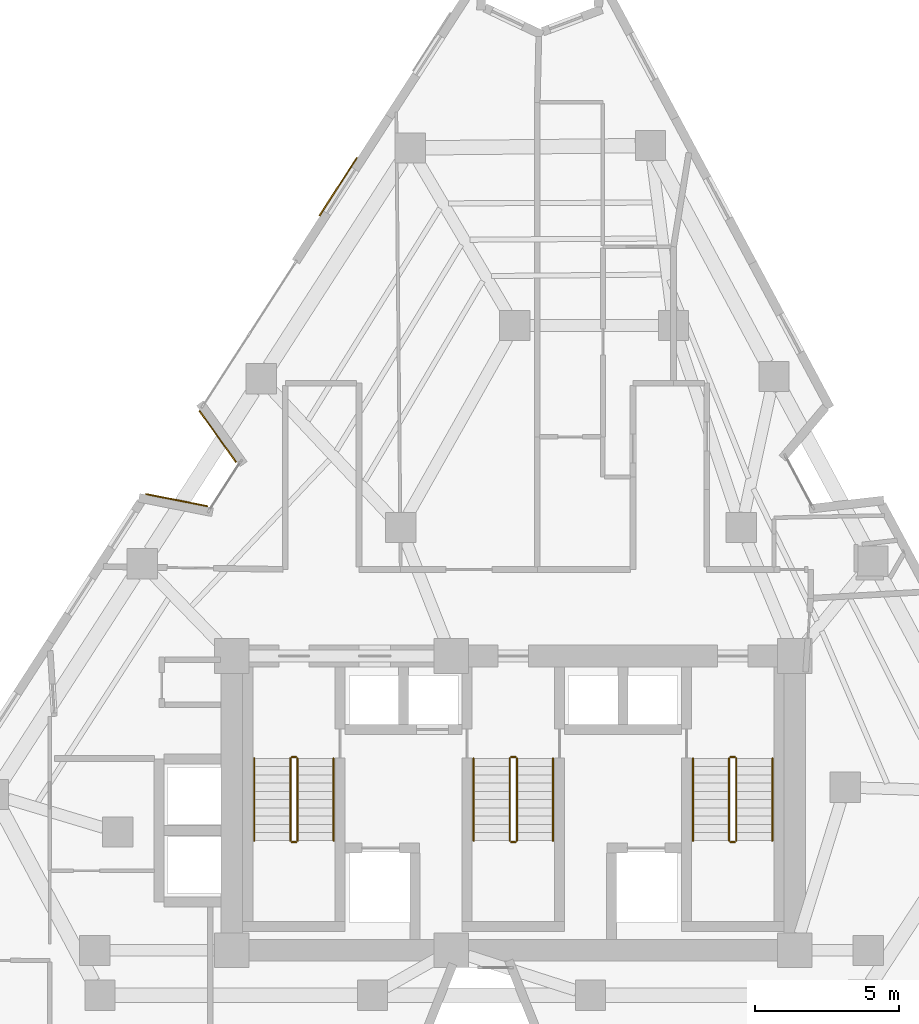
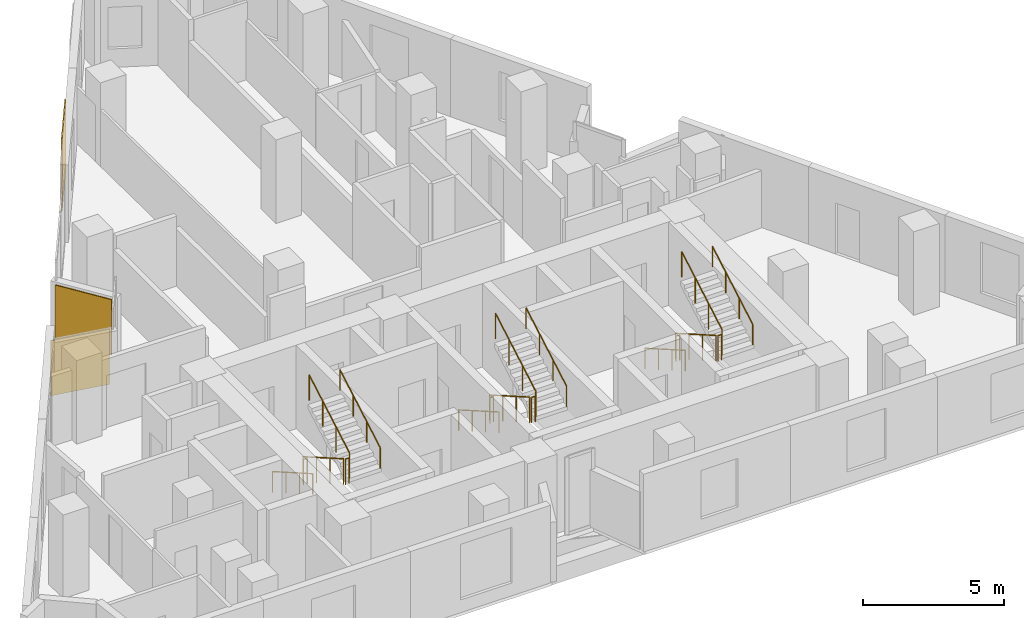
# One storey, part 11 of 12: 18 railings, 3 coverings.
"""IFC4 building model written with IfcOpenShell, lengths in metres."""

from ifc_helpers import new_model, si_unit, direction, frame, origin, origin_2d, place, context, subcontext, project, spatial, rectangle, circle, extrude, material, layer, layer_set, type_object, element, save


model = new_model("IFC4")

# Units and contexts
model_context = context("Model", 3, precision=1e-05, world=origin(), true_north=direction((0.0, 1.0)))
body_context = subcontext(model_context, "Body", "Model", "MODEL_VIEW")
ifc_project = project(units=[si_unit("LENGTHUNIT", "METRE"), si_unit("AREAUNIT", "SQUARE_METRE"), si_unit("VOLUMEUNIT", "CUBIC_METRE"), si_unit("PLANEANGLEUNIT", "RADIAN"), si_unit("MASSUNIT", "GRAM", prefix="KILO")], contexts=[model_context])

# Site, building, storey
site_placement = place(None, origin())
site = spatial("IfcSite", under=ifc_project, at=site_placement, CompositionType="ELEMENT")
building_placement = place(site_placement, origin())
building = spatial("IfcBuilding", under=site, at=building_placement, Name="Almagre Mirador Tower", CompositionType="ELEMENT")
storey_placement = place(building_placement, frame((0.0, 0.0, 182.39990234375)))
storey = spatial("IfcBuildingStorey", under=building, at=storey_placement, Name="L47", CompositionType="ELEMENT", Elevation=182.39990234375)

# Coverings
ifc_material_1 = material(Name="Almagre terracotta architectural cladding", Category="masonry")
ifc_layer = layer(ifc_material_1, 0.044921875)
ifc_layer_set = layer_set([ifc_layer], Name="Almagre terracotta architectural cladding")
covering_type = type_object("IfcCoveringType", Name="COV-CLAD-ALMAGRE", PredefinedType="CLADDING", material=ifc_layer_set)
for number, where, z_axis, x_axis, name in (
    (1, (25.63818359375, 20.148681640625, 0.10009765625), (0.0, 0.0, 1.0), (0.981164762779, -0.193172742077, 0.0), "L47 almagre terracotta pier cladding"),
    (2, (27.06103515625, 22.35498046875, 0.10009765625), (0.0, 0.0, 1.0), (-0.580475589131, 0.814277649468, 0.0), "L47 almagre terracotta pier cladding"),
):
    element("IfcCovering", number, at=place(storey_placement, frame(where, z_axis=z_axis, x_axis=x_axis)), inside=storey, type_object=covering_type, Name=name, PredefinedType="CLADDING", context=body_context, shape_type="SweptSolid", body=[
        extrude(rectangle(XDim=2.194091796875, YDim=0.044921875, at=origin_2d()), origin(), (0.0, 0.0, 1.0), 2.375),
    ])
covering_placement = place(storey_placement, frame((31.236083984375, 31.011474609375, 0.10009765625), z_axis=(0.0, 0.0, 1.0), x_axis=(0.542030924747, 0.840358540516, 0.0)))
element("IfcCovering", 3, at=covering_placement, inside=storey, type_object=covering_type, Name="L47 almagre terracotta pier cladding", PredefinedType="CLADDING", context=body_context, shape_type="SweptSolid", body=[
    extrude(rectangle(XDim=2.39990234375, YDim=0.044921875, at=origin_2d()), origin(), (0.0, 0.0, 1.0), 3.14990234375),
])

# Railings
ifc_material_2 = material(Name="Painted galvanized steel", Category="steel")
railing_type_1 = type_object("IfcRailingType", Name="RLG-GRD-1100", PredefinedType="GUARDRAIL", material=ifc_material_2)
railing_1_placement = place(storey_placement, frame((29.574951171875, 11.199951171875, 0.163818359375)))
element("IfcRailing", 4, at=railing_1_placement, inside=storey, type_object=railing_type_1, Name="L47 ST-1 stair guard 1", PredefinedType="GUARDRAIL", context=body_context, shape_type="SweptSolid", body=[
    extrude(circle(Radius=0.02392578125, at=origin_2d()), frame((0.0, 0.0, 1.09619140625), z_axis=(0.0, -0.867226363773, 0.497914082927), x_axis=(1.0, 0.0, 0.0)), (0.0, 0.0, 1.0), 3.2861328125),
    extrude(circle(Radius=0.02099609375, at=origin_2d()), origin(), (0.0, 0.0, 1.0), 1.072021484375),
    extrude(circle(Radius=0.02099609375, at=origin_2d()), frame((0.0, -0.949951171875, 0.54541015625)), (0.0, 0.0, 1.0), 1.072021484375),
    extrude(circle(Radius=0.02099609375, at=origin_2d()), frame((0.0, -1.89990234375, 1.0908203125)), (0.0, 0.0, 1.0), 1.072021484375),
    extrude(circle(Radius=0.02099609375, at=origin_2d()), frame((0.0, -2.849853515625, 1.63623046875)), (0.0, 0.0, 1.0), 1.072021484375),
])
railing_2_placement = place(storey_placement, frame((29.625, 8.300048828125, 1.800048828125)))
element("IfcRailing", 5, at=railing_2_placement, inside=storey, type_object=railing_type_1, Name="L47 ST-1 stair guard 2", PredefinedType="GUARDRAIL", context=body_context, shape_type="SweptSolid", body=[
    extrude(circle(Radius=0.02392578125, at=origin_2d()), frame((0.0, 0.0, 1.09619140625), z_axis=(1.0, 0.0, 0.0), x_axis=(0.0, 1.0, 0.0)), (0.0, 0.0, 1.0), 0.14990234375),
    extrude(circle(Radius=0.02099609375, at=origin_2d()), origin(), (0.0, 0.0, 1.0), 1.072021484375),
    extrude(circle(Radius=0.02099609375, at=origin_2d()), frame((0.14990234375, 0.0, 0.0)), (0.0, 0.0, 1.0), 1.072021484375),
])
railing_3_placement = place(storey_placement, frame((29.824951171875, 8.35009765625, 1.963623046875)))
element("IfcRailing", 6, at=railing_3_placement, inside=storey, type_object=railing_type_1, Name="L47 ST-1 stair guard 3", PredefinedType="GUARDRAIL", context=body_context, shape_type="SweptSolid", body=[
    extrude(circle(Radius=0.02392578125, at=origin_2d()), frame((0.0, 0.0, 1.09619140625), z_axis=(0.0, 0.867194282975, 0.497969954491), x_axis=(-1.0, 0.0, 0.0)), (0.0, 0.0, 1.0), 3.286376953125),
    extrude(circle(Radius=0.02099609375, at=origin_2d()), origin(), (0.0, 0.0, 1.0), 1.072021484375),
    extrude(circle(Radius=0.02099609375, at=origin_2d()), frame((0.0, 0.949951171875, 0.54541015625)), (0.0, 0.0, 1.0), 1.072021484375),
    extrude(circle(Radius=0.02099609375, at=origin_2d()), frame((0.0, 1.89990234375, 1.091064453125)), (0.0, 0.0, 1.0), 1.072021484375),
    extrude(circle(Radius=0.02099609375, at=origin_2d()), frame((0.0, 2.849853515625, 1.636474609375)), (0.0, 0.0, 1.0), 1.072021484375),
])
railing_4_placement = place(storey_placement, frame((29.625, 11.25, 0.0)))
element("IfcRailing", 7, at=railing_4_placement, inside=storey, type_object=railing_type_1, Name="L47 ST-1 stair guard 4", PredefinedType="GUARDRAIL", context=body_context, shape_type="SweptSolid", body=[
    extrude(circle(Radius=0.02392578125, at=origin_2d()), frame((0.0, 0.0, 1.09619140625), z_axis=(1.0, 0.0, 0.0), x_axis=(0.0, 1.0, 0.0)), (0.0, 0.0, 1.0), 0.14990234375),
    extrude(circle(Radius=0.02099609375, at=origin_2d()), origin(), (0.0, 0.0, 1.0), 1.072021484375),
    extrude(circle(Radius=0.02099609375, at=origin_2d()), frame((0.14990234375, 0.0, 0.0)), (0.0, 0.0, 1.0), 1.072021484375),
])
railing_5_placement = place(storey_placement, frame((37.175048828125, 11.199951171875, 0.163818359375)))
element("IfcRailing", 8, at=railing_5_placement, inside=storey, type_object=railing_type_1, Name="L47 ST-2 stair guard 1", PredefinedType="GUARDRAIL", context=body_context, shape_type="SweptSolid", body=[
    extrude(circle(Radius=0.02392578125, at=origin_2d()), frame((0.0, 0.0, 1.09619140625), z_axis=(0.0, -0.867226363773, 0.497914082927), x_axis=(1.0, 0.0, 0.0)), (0.0, 0.0, 1.0), 3.2861328125),
    extrude(circle(Radius=0.02099609375, at=origin_2d()), origin(), (0.0, 0.0, 1.0), 1.072021484375),
    extrude(circle(Radius=0.02099609375, at=origin_2d()), frame((0.0, -0.949951171875, 0.54541015625)), (0.0, 0.0, 1.0), 1.072021484375),
    extrude(circle(Radius=0.02099609375, at=origin_2d()), frame((0.0, -1.89990234375, 1.0908203125)), (0.0, 0.0, 1.0), 1.072021484375),
    extrude(circle(Radius=0.02099609375, at=origin_2d()), frame((0.0, -2.849853515625, 1.63623046875)), (0.0, 0.0, 1.0), 1.072021484375),
])
railing_6_placement = place(storey_placement, frame((37.22509765625, 8.300048828125, 1.800048828125)))
element("IfcRailing", 9, at=railing_6_placement, inside=storey, type_object=railing_type_1, Name="L47 ST-2 stair guard 2", PredefinedType="GUARDRAIL", context=body_context, shape_type="SweptSolid", body=[
    extrude(circle(Radius=0.02392578125, at=origin_2d()), frame((0.0, 0.0, 1.09619140625), z_axis=(1.0, 0.0, 0.0), x_axis=(0.0, 1.0, 0.0)), (0.0, 0.0, 1.0), 0.14990234375),
    extrude(circle(Radius=0.02099609375, at=origin_2d()), origin(), (0.0, 0.0, 1.0), 1.072021484375),
    extrude(circle(Radius=0.02099609375, at=origin_2d()), frame((0.14990234375, 0.0, 0.0)), (0.0, 0.0, 1.0), 1.072021484375),
])
railing_7_placement = place(storey_placement, frame((37.425048828125, 8.35009765625, 1.963623046875)))
element("IfcRailing", 10, at=railing_7_placement, inside=storey, type_object=railing_type_1, Name="L47 ST-2 stair guard 3", PredefinedType="GUARDRAIL", context=body_context, shape_type="SweptSolid", body=[
    extrude(circle(Radius=0.02392578125, at=origin_2d()), frame((0.0, 0.0, 1.09619140625), z_axis=(0.0, 0.867194282975, 0.497969954491), x_axis=(-1.0, 0.0, 0.0)), (0.0, 0.0, 1.0), 3.286376953125),
    extrude(circle(Radius=0.02099609375, at=origin_2d()), origin(), (0.0, 0.0, 1.0), 1.072021484375),
    extrude(circle(Radius=0.02099609375, at=origin_2d()), frame((0.0, 0.949951171875, 0.54541015625)), (0.0, 0.0, 1.0), 1.072021484375),
    extrude(circle(Radius=0.02099609375, at=origin_2d()), frame((0.0, 1.89990234375, 1.091064453125)), (0.0, 0.0, 1.0), 1.072021484375),
    extrude(circle(Radius=0.02099609375, at=origin_2d()), frame((0.0, 2.849853515625, 1.636474609375)), (0.0, 0.0, 1.0), 1.072021484375),
])
railing_8_placement = place(storey_placement, frame((37.22509765625, 11.25, 0.0)))
element("IfcRailing", 11, at=railing_8_placement, inside=storey, type_object=railing_type_1, Name="L47 ST-2 stair guard 4", PredefinedType="GUARDRAIL", context=body_context, shape_type="SweptSolid", body=[
    extrude(circle(Radius=0.02392578125, at=origin_2d()), frame((0.0, 0.0, 1.09619140625), z_axis=(1.0, 0.0, 0.0), x_axis=(0.0, 1.0, 0.0)), (0.0, 0.0, 1.0), 0.14990234375),
    extrude(circle(Radius=0.02099609375, at=origin_2d()), origin(), (0.0, 0.0, 1.0), 1.072021484375),
    extrude(circle(Radius=0.02099609375, at=origin_2d()), frame((0.14990234375, 0.0, 0.0)), (0.0, 0.0, 1.0), 1.072021484375),
])
railing_9_placement = place(storey_placement, frame((44.77490234375, 11.199951171875, 0.163818359375)))
element("IfcRailing", 12, at=railing_9_placement, inside=storey, type_object=railing_type_1, Name="L47 ST-3 stair guard 1", PredefinedType="GUARDRAIL", context=body_context, shape_type="SweptSolid", body=[
    extrude(circle(Radius=0.02392578125, at=origin_2d()), frame((0.0, 0.0, 1.09619140625), z_axis=(0.0, -0.867226363773, 0.497914082927), x_axis=(1.0, 0.0, 0.0)), (0.0, 0.0, 1.0), 3.2861328125),
    extrude(circle(Radius=0.02099609375, at=origin_2d()), origin(), (0.0, 0.0, 1.0), 1.072021484375),
    extrude(circle(Radius=0.02099609375, at=origin_2d()), frame((0.0, -0.949951171875, 0.54541015625)), (0.0, 0.0, 1.0), 1.072021484375),
    extrude(circle(Radius=0.02099609375, at=origin_2d()), frame((0.0, -1.89990234375, 1.0908203125)), (0.0, 0.0, 1.0), 1.072021484375),
    extrude(circle(Radius=0.02099609375, at=origin_2d()), frame((0.0, -2.849853515625, 1.63623046875)), (0.0, 0.0, 1.0), 1.072021484375),
])
railing_10_placement = place(storey_placement, frame((44.824951171875, 8.300048828125, 1.800048828125)))
element("IfcRailing", 13, at=railing_10_placement, inside=storey, type_object=railing_type_1, Name="L47 ST-3 stair guard 2", PredefinedType="GUARDRAIL", context=body_context, shape_type="SweptSolid", body=[
    extrude(circle(Radius=0.02392578125, at=origin_2d()), frame((0.0, 0.0, 1.09619140625), z_axis=(1.0, 0.0, 0.0), x_axis=(0.0, 1.0, 0.0)), (0.0, 0.0, 1.0), 0.150146484375),
    extrude(circle(Radius=0.02099609375, at=origin_2d()), origin(), (0.0, 0.0, 1.0), 1.072021484375),
    extrude(circle(Radius=0.02099609375, at=origin_2d()), frame((0.150146484375, 0.0, 0.0)), (0.0, 0.0, 1.0), 1.072021484375),
])
railing_11_placement = place(storey_placement, frame((45.02490234375, 8.35009765625, 1.963623046875)))
element("IfcRailing", 14, at=railing_11_placement, inside=storey, type_object=railing_type_1, Name="L47 ST-3 stair guard 3", PredefinedType="GUARDRAIL", context=body_context, shape_type="SweptSolid", body=[
    extrude(circle(Radius=0.02392578125, at=origin_2d()), frame((0.0, 0.0, 1.09619140625), z_axis=(0.0, 0.867194282975, 0.497969954491), x_axis=(-1.0, 0.0, 0.0)), (0.0, 0.0, 1.0), 3.286376953125),
    extrude(circle(Radius=0.02099609375, at=origin_2d()), origin(), (0.0, 0.0, 1.0), 1.072021484375),
    extrude(circle(Radius=0.02099609375, at=origin_2d()), frame((0.0, 0.949951171875, 0.54541015625)), (0.0, 0.0, 1.0), 1.072021484375),
    extrude(circle(Radius=0.02099609375, at=origin_2d()), frame((0.0, 1.89990234375, 1.091064453125)), (0.0, 0.0, 1.0), 1.072021484375),
    extrude(circle(Radius=0.02099609375, at=origin_2d()), frame((0.0, 2.849853515625, 1.636474609375)), (0.0, 0.0, 1.0), 1.072021484375),
])
railing_12_placement = place(storey_placement, frame((44.824951171875, 11.25, 0.0)))
element("IfcRailing", 15, at=railing_12_placement, inside=storey, type_object=railing_type_1, Name="L47 ST-3 stair guard 4", PredefinedType="GUARDRAIL", context=body_context, shape_type="SweptSolid", body=[
    extrude(circle(Radius=0.02392578125, at=origin_2d()), frame((0.0, 0.0, 1.09619140625), z_axis=(1.0, 0.0, 0.0), x_axis=(0.0, 1.0, 0.0)), (0.0, 0.0, 1.0), 0.150146484375),
    extrude(circle(Radius=0.02099609375, at=origin_2d()), origin(), (0.0, 0.0, 1.0), 1.072021484375),
    extrude(circle(Radius=0.02099609375, at=origin_2d()), frame((0.150146484375, 0.0, 0.0)), (0.0, 0.0, 1.0), 1.072021484375),
])
ifc_material_3 = material(Name="Brushed stainless steel", Category="steel")
railing_type_2 = type_object("IfcRailingType", Name="RLG-HND-915", PredefinedType="HANDRAIL", material=ifc_material_3)
railing_13_placement = place(storey_placement, frame((28.324951171875, 11.199951171875, 0.163818359375)))
element("IfcRailing", 16, at=railing_13_placement, inside=storey, type_object=railing_type_2, Name="L47 ST-1 stair handrail 1", PredefinedType="HANDRAIL", context=body_context, shape_type="SweptSolid", body=[
    extrude(circle(Radius=0.02392578125, at=origin_2d()), frame((0.0, 0.0, 0.89111328125), z_axis=(0.0, -0.867226363773, 0.497914082927), x_axis=(1.0, 0.0, 0.0)), (0.0, 0.0, 1.0), 3.2861328125),
    extrude(circle(Radius=0.02099609375, at=origin_2d()), origin(), (0.0, 0.0, 1.0), 0.866943359375),
    extrude(circle(Radius=0.02099609375, at=origin_2d()), frame((0.0, -0.949951171875, 0.54541015625)), (0.0, 0.0, 1.0), 0.866943359375),
    extrude(circle(Radius=0.02099609375, at=origin_2d()), frame((0.0, -1.89990234375, 1.0908203125)), (0.0, 0.0, 1.0), 0.866943359375),
    extrude(circle(Radius=0.02099609375, at=origin_2d()), frame((0.0, -2.849853515625, 1.63623046875)), (0.0, 0.0, 1.0), 0.866943359375),
])
railing_14_placement = place(storey_placement, frame((31.074951171875, 8.35009765625, 1.963623046875)))
element("IfcRailing", 17, at=railing_14_placement, inside=storey, type_object=railing_type_2, Name="L47 ST-1 stair handrail 2", PredefinedType="HANDRAIL", context=body_context, shape_type="SweptSolid", body=[
    extrude(circle(Radius=0.02392578125, at=origin_2d()), frame((0.0, 0.0, 0.89111328125), z_axis=(0.0, 0.867194282975, 0.497969954491), x_axis=(-1.0, 0.0, 0.0)), (0.0, 0.0, 1.0), 3.286376953125),
    extrude(circle(Radius=0.02099609375, at=origin_2d()), origin(), (0.0, 0.0, 1.0), 0.866943359375),
    extrude(circle(Radius=0.02099609375, at=origin_2d()), frame((0.0, 0.949951171875, 0.54541015625)), (0.0, 0.0, 1.0), 0.866943359375),
    extrude(circle(Radius=0.02099609375, at=origin_2d()), frame((0.0, 1.89990234375, 1.091064453125)), (0.0, 0.0, 1.0), 0.866943359375),
    extrude(circle(Radius=0.02099609375, at=origin_2d()), frame((0.0, 2.849853515625, 1.636474609375)), (0.0, 0.0, 1.0), 0.866943359375),
])
railing_15_placement = place(storey_placement, frame((35.925048828125, 11.199951171875, 0.163818359375)))
element("IfcRailing", 18, at=railing_15_placement, inside=storey, type_object=railing_type_2, Name="L47 ST-2 stair handrail 1", PredefinedType="HANDRAIL", context=body_context, shape_type="SweptSolid", body=[
    extrude(circle(Radius=0.02392578125, at=origin_2d()), frame((0.0, 0.0, 0.89111328125), z_axis=(0.0, -0.867226363773, 0.497914082927), x_axis=(1.0, 0.0, 0.0)), (0.0, 0.0, 1.0), 3.2861328125),
    extrude(circle(Radius=0.02099609375, at=origin_2d()), origin(), (0.0, 0.0, 1.0), 0.866943359375),
    extrude(circle(Radius=0.02099609375, at=origin_2d()), frame((0.0, -0.949951171875, 0.54541015625)), (0.0, 0.0, 1.0), 0.866943359375),
    extrude(circle(Radius=0.02099609375, at=origin_2d()), frame((0.0, -1.89990234375, 1.0908203125)), (0.0, 0.0, 1.0), 0.866943359375),
    extrude(circle(Radius=0.02099609375, at=origin_2d()), frame((0.0, -2.849853515625, 1.63623046875)), (0.0, 0.0, 1.0), 0.866943359375),
])
railing_16_placement = place(storey_placement, frame((38.675048828125, 8.35009765625, 1.963623046875)))
element("IfcRailing", 19, at=railing_16_placement, inside=storey, type_object=railing_type_2, Name="L47 ST-2 stair handrail 2", PredefinedType="HANDRAIL", context=body_context, shape_type="SweptSolid", body=[
    extrude(circle(Radius=0.02392578125, at=origin_2d()), frame((0.0, 0.0, 0.89111328125), z_axis=(0.0, 0.867194282975, 0.497969954491), x_axis=(-1.0, 0.0, 0.0)), (0.0, 0.0, 1.0), 3.286376953125),
    extrude(circle(Radius=0.02099609375, at=origin_2d()), origin(), (0.0, 0.0, 1.0), 0.866943359375),
    extrude(circle(Radius=0.02099609375, at=origin_2d()), frame((0.0, 0.949951171875, 0.54541015625)), (0.0, 0.0, 1.0), 0.866943359375),
    extrude(circle(Radius=0.02099609375, at=origin_2d()), frame((0.0, 1.89990234375, 1.091064453125)), (0.0, 0.0, 1.0), 0.866943359375),
    extrude(circle(Radius=0.02099609375, at=origin_2d()), frame((0.0, 2.849853515625, 1.636474609375)), (0.0, 0.0, 1.0), 0.866943359375),
])
railing_17_placement = place(storey_placement, frame((43.52490234375, 11.199951171875, 0.163818359375)))
element("IfcRailing", 20, at=railing_17_placement, inside=storey, type_object=railing_type_2, Name="L47 ST-3 stair handrail 1", PredefinedType="HANDRAIL", context=body_context, shape_type="SweptSolid", body=[
    extrude(circle(Radius=0.02392578125, at=origin_2d()), frame((0.0, 0.0, 0.89111328125), z_axis=(0.0, -0.867226363773, 0.497914082927), x_axis=(1.0, 0.0, 0.0)), (0.0, 0.0, 1.0), 3.2861328125),
    extrude(circle(Radius=0.02099609375, at=origin_2d()), origin(), (0.0, 0.0, 1.0), 0.866943359375),
    extrude(circle(Radius=0.02099609375, at=origin_2d()), frame((0.0, -0.949951171875, 0.54541015625)), (0.0, 0.0, 1.0), 0.866943359375),
    extrude(circle(Radius=0.02099609375, at=origin_2d()), frame((0.0, -1.89990234375, 1.0908203125)), (0.0, 0.0, 1.0), 0.866943359375),
    extrude(circle(Radius=0.02099609375, at=origin_2d()), frame((0.0, -2.849853515625, 1.63623046875)), (0.0, 0.0, 1.0), 0.866943359375),
])
railing_18_placement = place(storey_placement, frame((46.27490234375, 8.35009765625, 1.963623046875)))
element("IfcRailing", 21, at=railing_18_placement, inside=storey, type_object=railing_type_2, Name="L47 ST-3 stair handrail 2", PredefinedType="HANDRAIL", context=body_context, shape_type="SweptSolid", body=[
    extrude(circle(Radius=0.02392578125, at=origin_2d()), frame((0.0, 0.0, 0.89111328125), z_axis=(0.0, 0.867194282975, 0.497969954491), x_axis=(-1.0, 0.0, 0.0)), (0.0, 0.0, 1.0), 3.286376953125),
    extrude(circle(Radius=0.02099609375, at=origin_2d()), origin(), (0.0, 0.0, 1.0), 0.866943359375),
    extrude(circle(Radius=0.02099609375, at=origin_2d()), frame((0.0, 0.949951171875, 0.54541015625)), (0.0, 0.0, 1.0), 0.866943359375),
    extrude(circle(Radius=0.02099609375, at=origin_2d()), frame((0.0, 1.89990234375, 1.091064453125)), (0.0, 0.0, 1.0), 0.866943359375),
    extrude(circle(Radius=0.02099609375, at=origin_2d()), frame((0.0, 2.849853515625, 1.636474609375)), (0.0, 0.0, 1.0), 0.866943359375),
])

save(model, "model.ifc")
